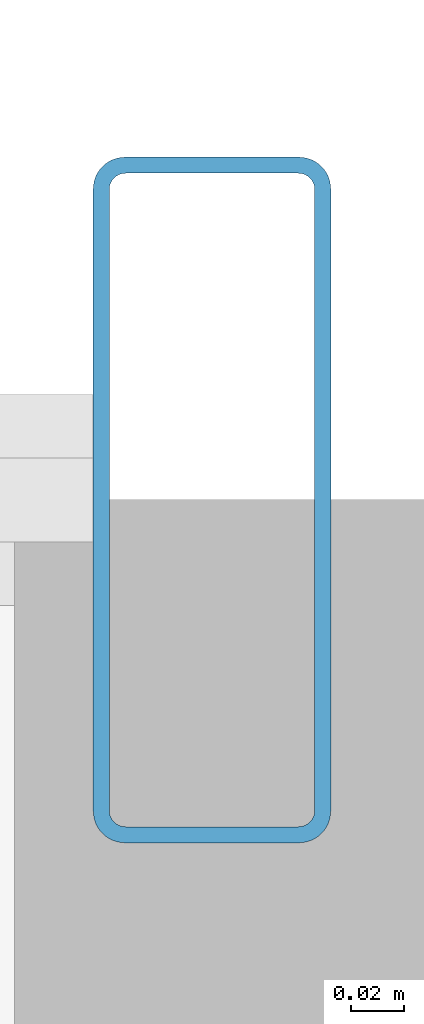
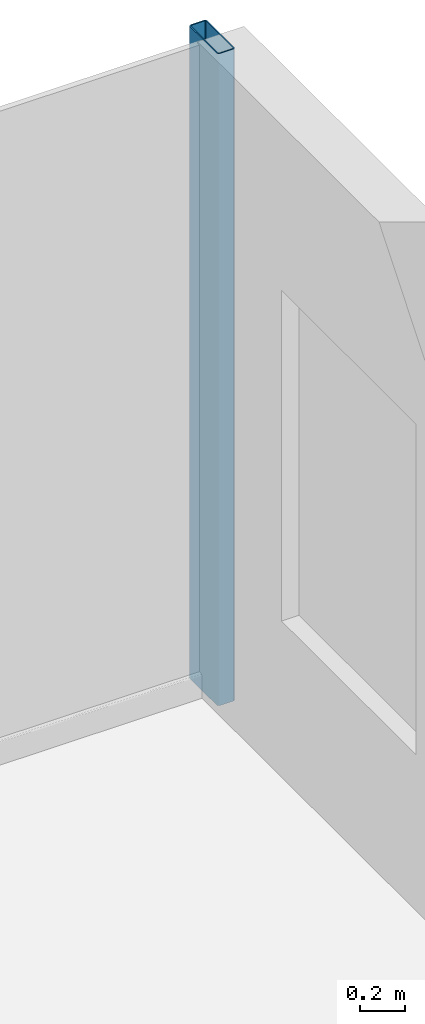
# One storey, part 17 of 28: 1 member, 1 element without a shape of its own.
"""IFC4 building model written with IfcOpenShell, lengths in metres."""

from ifc_helpers import new_model, si_unit, direction, frame, origin, origin_2d, place, context, subcontext, project, spatial, hollow_rectangle, extrude, source, transform, mapped, material, layer, layer_set, material_profile, profile_set, type_object, element, aggregate, save


model = new_model("IFC4")

# Units and contexts
model_context = context("Model", 3, precision=1e-05, world=origin(), true_north=direction((0.0, 1.0)))
body_context = subcontext(model_context, "Body", "Model", "MODEL_VIEW")
ifc_project = project(units=[si_unit("LENGTHUNIT", "METRE"), si_unit("AREAUNIT", "SQUARE_METRE"), si_unit("VOLUMEUNIT", "CUBIC_METRE"), si_unit("PLANEANGLEUNIT", "RADIAN"), si_unit("MASSUNIT", "GRAM", prefix="KILO")], contexts=[model_context])

# Site, building, storey
site_placement = place(None, origin())
site = spatial("IfcSite", under=ifc_project, at=site_placement, CompositionType="ELEMENT")
building_placement = place(site_placement, origin())
building = spatial("IfcBuilding", under=site, at=building_placement, Name="Nefas-Gora Pilgrimage Tower", CompositionType="ELEMENT")
storey_placement = place(building_placement, frame((0.0, 0.0, 102.199951171875)))
storey = spatial("IfcBuildingStorey", under=building, at=storey_placement, Name="L24", CompositionType="ELEMENT", Elevation=102.199951171875)

# Curtain wall, member
ifc_material_1 = material(Name="Dark ceramic-fritted solar-control aluminium-glass curtain wall", Category="aluminium")
ifc_layer = layer(ifc_material_1, 0.219970703125)
ifc_layer_set = layer_set([ifc_layer], Name="Dark ceramic-fritted solar-control aluminium-glass curtain wall")
curtain_wall_type = type_object("IfcCurtainWallType", Name="CW-SYS-2", PredefinedType="NOTDEFINED", material=ifc_layer_set)
curtain_wall_placement = place(storey_placement, origin())
curtain_wall = element("IfcCurtainWall", 1, at=curtain_wall_placement, inside=storey, type_object=curtain_wall_type, Name="L24 Unitised Curtain Wall CW2", PredefinedType="NOTDEFINED")
ifc_material_2 = material(Name="Anodised architectural aluminium", Category="aluminium")
ifc_material_profile = material_profile(ifc_material_2, hollow_rectangle(XDim=0.090087890625, YDim=0.260009765625, WallThickness=0.006103515625, InnerFilletRadius=0.006103515625, OuterFilletRadius=0.011962890625, at=origin_2d()), Name="ALU MULLION 90x260")
ifc_profile_set = profile_set([ifc_material_profile], Name="Anodised architectural aluminium")
member_type = type_object("IfcMemberType", Name="CWM-MUL-2", PredefinedType="MULLION", material=ifc_profile_set)
shared_shape = source(origin(), body_context, "Body", "SweptSolid", [
    extrude(hollow_rectangle(XDim=0.090087890625, YDim=0.260009765625, WallThickness=0.006103515625, InnerFilletRadius=0.006103515625, OuterFilletRadius=0.011962890625, at=origin_2d()), origin(), (0.0, 0.0, 1.0), 3.550048828125),
])
member_placement = place(storey_placement, frame((28.824951171875, 23.02001953125, 0.0), z_axis=(0.0, 0.0, 1.0), x_axis=(-1.0, 0.0, 0.0)))
member = element("IfcMember", 2, at=member_placement, type_object=member_type, Name="CW2 Mullion 1", PredefinedType="MULLION", context=body_context, shape_type="MappedRepresentation", body=[
    mapped(shared_shape, transform((0.0, 0.0, 0.0), x_axis=(1.0, 0.0, 0.0), y_axis=(0.0, 1.0, 0.0), z_axis=(0.0, 0.0, 1.0), scale=1.0)),
])
aggregate(curtain_wall, [member])

save(model, "model.ifc")
